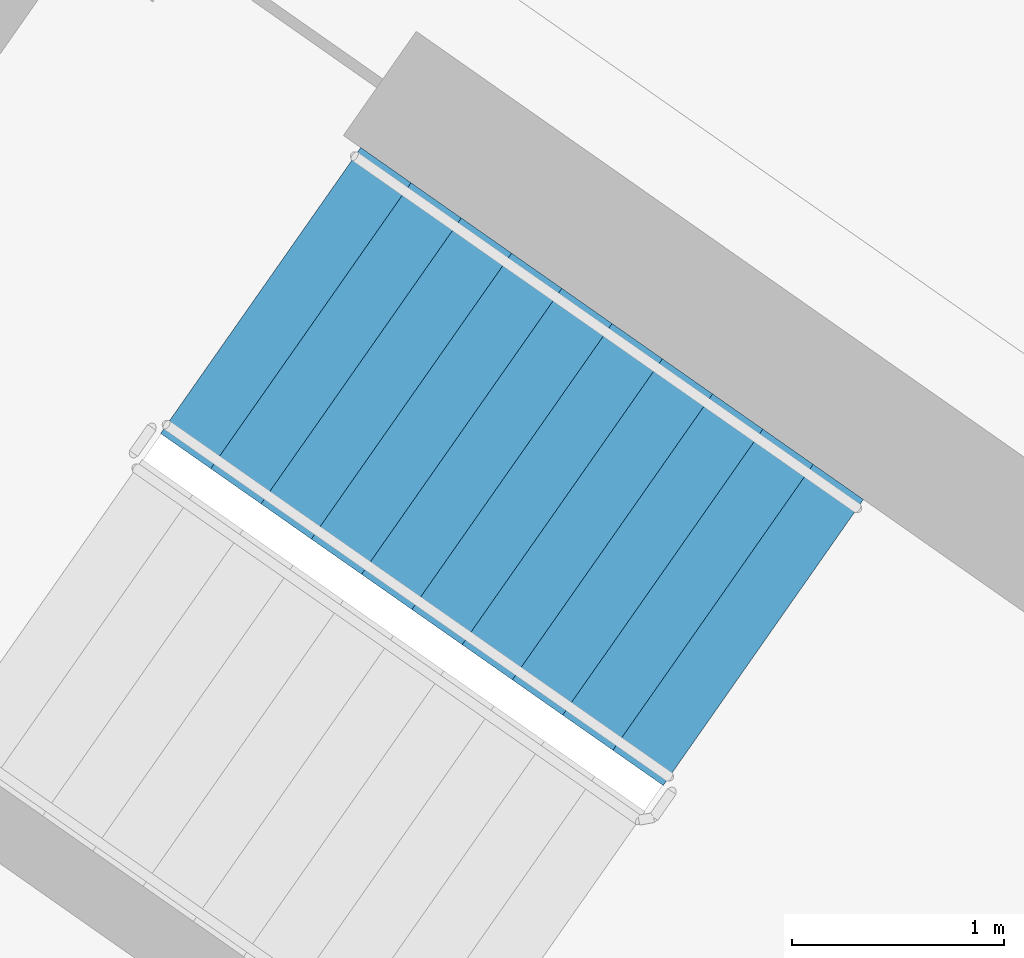
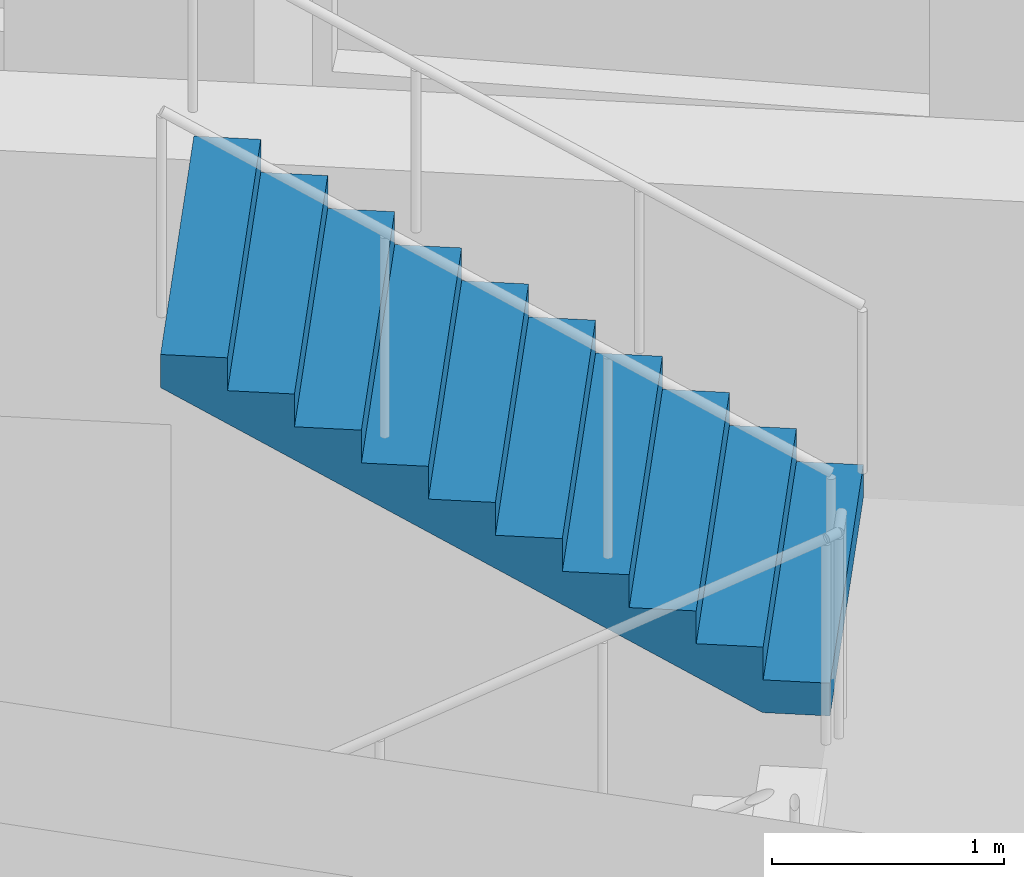
# One storey, part 12 of 26: 1 stair flight, 1 element without a shape of its own.
"""IFC4 building model written with IfcOpenShell, lengths in metres."""

from ifc_helpers import new_model, si_unit, direction, frame, origin, place, context, subcontext, project, spatial, faceted_brep, material, type_object, element, aggregate, save


model = new_model("IFC4")

# Units and contexts
model_context = context("Model", 3, precision=1e-05, world=origin(), true_north=direction((0.0, 1.0)))
body_context = subcontext(model_context, "Body", "Model", "MODEL_VIEW")
ifc_project = project(units=[si_unit("LENGTHUNIT", "METRE"), si_unit("AREAUNIT", "SQUARE_METRE"), si_unit("VOLUMEUNIT", "CUBIC_METRE"), si_unit("PLANEANGLEUNIT", "RADIAN"), si_unit("MASSUNIT", "GRAM", prefix="KILO")], contexts=[model_context])

# Site, building, storey
site_placement = place(None, origin())
site = spatial("IfcSite", under=ifc_project, at=site_placement, CompositionType="ELEMENT")
building_placement = place(site_placement, origin())
building = spatial("IfcBuilding", under=site, at=building_placement, Name="Qamariyya Broadcast Tower", CompositionType="ELEMENT")
storey_placement = place(building_placement, frame((0.0, 0.0, 168.300048828125)))
storey = spatial("IfcBuildingStorey", under=building, at=storey_placement, Name="L39", CompositionType="ELEMENT", Elevation=168.300048828125)

# Stair, stair flight
ifc_material = material(Name="Concrete C50/60", Category="concrete")
stair_type = type_object("IfcStairType", Name="Exit stair 22 risers of 173 mm", PredefinedType="HALF_TURN_STAIR", material=ifc_material)
stair_placement = place(storey_placement, origin())
stair = element("IfcStair", 1, at=stair_placement, inside=storey, type_object=stair_type, Name="L39 Stair W2", PredefinedType="HALF_TURN_STAIR")
stair_flight_type = type_object("IfcStairFlightType", Name="Exit stair flight 11 risers of 173 mm", PredefinedType="STRAIGHT", material=ifc_material)
stair_flight_placement = place(storey_placement, frame((-38.18310546875, -49.3486328125, 1.89990234375), z_axis=(0.0, 0.0, 1.0), x_axis=(-0.819152044289, 0.573576436351, 0.0)))
stair_flight = element("IfcStairFlight", 2, at=stair_flight_placement, type_object=stair_flight_type, Name="ST-W2 flight 2", NumberOfRisers=11, NumberOfTreads=10, PredefinedType="STRAIGHT", RiserHeight=0.172727273, TreadLength=0.29, context=body_context, shape_type="Brep", body=[
    faceted_brep([(0.0, 0.824951171875, 0.0), (0.0, 0.824951171875, 0.172607421875), (0.2900390625, 0.824951171875, 0.172607421875), (0.2900390625, 0.824951171875, 0.345458984375), (0.580078125, 0.824951171875, 0.345458984375), (0.580078125, 0.824951171875, 0.51806640625), (0.8701171875, 0.824951171875, 0.51806640625), (0.8701171875, 0.824951171875, 0.69091796875), (1.159912109375, 0.824951171875, 0.69091796875), (1.159912109375, 0.824951171875, 0.863525390625), (1.449951171875, 0.824951171875, 0.863525390625), (1.449951171875, 0.824951171875, 1.036376953125), (1.739990234375, 0.824951171875, 1.036376953125), (1.739990234375, 0.824951171875, 1.208984375), (2.030029296875, 0.824951171875, 1.208984375), (2.030029296875, 0.824951171875, 1.3818359375), (2.320068359375, 0.824951171875, 1.3818359375), (2.320068359375, 0.824951171875, 1.554443359375), (2.610107421875, 0.824951171875, 1.554443359375), (2.610107421875, 0.824951171875, 1.727294921875), (2.89990234375, 0.824951171875, 1.727294921875), (2.89990234375, 0.824951171875, 1.552734375), (0.29296875, 0.824951171875, 0.0), (0.29296875, -0.824951171875, 0.0), (2.89990234375, -0.824951171875, 1.552734375), (2.89990234375, -0.824951171875, 1.727294921875), (2.610107421875, -0.824951171875, 1.727294921875), (2.610107421875, -0.824951171875, 1.554443359375), (2.320068359375, -0.824951171875, 1.554443359375), (2.320068359375, -0.824951171875, 1.3818359375), (2.030029296875, -0.824951171875, 1.3818359375), (2.030029296875, -0.824951171875, 1.208984375), (1.739990234375, -0.824951171875, 1.208984375), (1.739990234375, -0.824951171875, 1.036376953125), (1.449951171875, -0.824951171875, 1.036376953125), (1.449951171875, -0.824951171875, 0.863525390625), (1.159912109375, -0.824951171875, 0.863525390625), (1.159912109375, -0.824951171875, 0.69091796875), (0.8701171875, -0.824951171875, 0.69091796875), (0.8701171875, -0.824951171875, 0.51806640625), (0.580078125, -0.824951171875, 0.51806640625), (0.580078125, -0.824951171875, 0.345458984375), (0.2900390625, -0.824951171875, 0.345458984375), (0.2900390625, -0.824951171875, 0.172607421875), (0.0, -0.824951171875, 0.172607421875), (0.0, -0.824951171875, 0.0), (0.0, 0.10009765625, 0.0), (0.0, 0.086669921875, 0.0), (0.0, 0.0732421875, 0.0), (0.0, 0.06005859375, 0.0), (0.0, 0.046630859375, 0.0), (0.0, 0.033447265625, 0.0), (0.0, 0.02001953125, 0.0), (0.0, 0.006591796875, 0.0), (0.0, -0.006591796875, 0.0), (0.0, -0.02001953125, 0.0), (0.0, -0.033447265625, 0.0), (0.0, -0.046630859375, 0.0), (0.0, -0.06005859375, 0.0), (0.0, -0.0732421875, 0.0), (0.0, -0.086669921875, 0.0), (0.0, -0.10009765625, 0.0), (0.0, -0.10009765625, 0.172607421875), (0.0, -0.086669921875, 0.172607421875), (0.0, -0.0732421875, 0.172607421875), (0.0, -0.06005859375, 0.172607421875), (0.0, -0.046630859375, 0.172607421875), (0.0, -0.033447265625, 0.172607421875), (0.0, -0.02001953125, 0.172607421875), (0.0, -0.006591796875, 0.172607421875), (0.0, 0.006591796875, 0.172607421875), (0.0, 0.02001953125, 0.172607421875), (0.0, 0.033447265625, 0.172607421875), (0.0, 0.046630859375, 0.172607421875), (0.0, 0.06005859375, 0.172607421875), (0.0, 0.0732421875, 0.172607421875), (0.0, 0.086669921875, 0.172607421875), (0.0, 0.10009765625, 0.172607421875), (0.2900390625, -0.10009765625, 0.172607421875), (0.2900390625, -0.086669921875, 0.172607421875), (0.2900390625, -0.0732421875, 0.172607421875), (0.2900390625, -0.06005859375, 0.172607421875), (0.2900390625, -0.046630859375, 0.172607421875), (0.2900390625, -0.033447265625, 0.172607421875), (0.2900390625, -0.02001953125, 0.172607421875), (0.2900390625, -0.006591796875, 0.172607421875), (0.2900390625, 0.006591796875, 0.172607421875), (0.2900390625, 0.02001953125, 0.172607421875), (0.2900390625, 0.033447265625, 0.172607421875), (0.2900390625, 0.046630859375, 0.172607421875), (0.2900390625, 0.06005859375, 0.172607421875), (0.2900390625, 0.0732421875, 0.172607421875), (0.2900390625, 0.086669921875, 0.172607421875), (0.2900390625, 0.10009765625, 0.172607421875), (0.2900390625, -0.10009765625, 0.345458984375), (0.2900390625, -0.086669921875, 0.345458984375), (0.2900390625, -0.0732421875, 0.345458984375), (0.2900390625, -0.06005859375, 0.345458984375), (0.2900390625, -0.046630859375, 0.345458984375), (0.2900390625, -0.033447265625, 0.345458984375), (0.2900390625, -0.02001953125, 0.345458984375), (0.2900390625, -0.006591796875, 0.345458984375), (0.2900390625, 0.006591796875, 0.345458984375), (0.2900390625, 0.02001953125, 0.345458984375), (0.2900390625, 0.033447265625, 0.345458984375), (0.2900390625, 0.046630859375, 0.345458984375), (0.2900390625, 0.06005859375, 0.345458984375), (0.2900390625, 0.0732421875, 0.345458984375), (0.2900390625, 0.086669921875, 0.345458984375), (0.2900390625, 0.10009765625, 0.345458984375), (0.580078125, -0.10009765625, 0.345458984375), (0.580078125, -0.086669921875, 0.345458984375), (0.580078125, -0.0732421875, 0.345458984375), (0.580078125, -0.06005859375, 0.345458984375), (0.580078125, -0.046630859375, 0.345458984375), (0.580078125, -0.033447265625, 0.345458984375), (0.580078125, -0.02001953125, 0.345458984375), (0.580078125, -0.006591796875, 0.345458984375), (0.580078125, 0.006591796875, 0.345458984375), (0.580078125, 0.02001953125, 0.345458984375), (0.580078125, 0.033447265625, 0.345458984375), (0.580078125, 0.046630859375, 0.345458984375), (0.580078125, 0.06005859375, 0.345458984375), (0.580078125, 0.0732421875, 0.345458984375), (0.580078125, 0.086669921875, 0.345458984375), (0.580078125, 0.10009765625, 0.345458984375), (0.580078125, -0.10009765625, 0.51806640625), (0.580078125, -0.086669921875, 0.51806640625), (0.580078125, -0.0732421875, 0.51806640625), (0.580078125, -0.06005859375, 0.51806640625), (0.580078125, -0.046630859375, 0.51806640625), (0.580078125, -0.033447265625, 0.51806640625), (0.580078125, -0.02001953125, 0.51806640625), (0.580078125, -0.006591796875, 0.51806640625), (0.580078125, 0.006591796875, 0.51806640625), (0.580078125, 0.02001953125, 0.51806640625), (0.580078125, 0.033447265625, 0.51806640625), (0.580078125, 0.046630859375, 0.51806640625), (0.580078125, 0.06005859375, 0.51806640625), (0.580078125, 0.0732421875, 0.51806640625), (0.580078125, 0.086669921875, 0.51806640625), (0.580078125, 0.10009765625, 0.51806640625), (0.8701171875, -0.10009765625, 0.51806640625), (0.8701171875, -0.086669921875, 0.51806640625), (0.8701171875, -0.0732421875, 0.51806640625), (0.8701171875, -0.06005859375, 0.51806640625), (0.8701171875, -0.046630859375, 0.51806640625), (0.8701171875, -0.033447265625, 0.51806640625), (0.8701171875, -0.02001953125, 0.51806640625), (0.8701171875, -0.006591796875, 0.51806640625), (0.8701171875, 0.006591796875, 0.51806640625), (0.8701171875, 0.02001953125, 0.51806640625), (0.8701171875, 0.033447265625, 0.51806640625), (0.8701171875, 0.046630859375, 0.51806640625), (0.8701171875, 0.06005859375, 0.51806640625), (0.8701171875, 0.0732421875, 0.51806640625), (0.8701171875, 0.086669921875, 0.51806640625), (0.8701171875, 0.10009765625, 0.51806640625), (0.8701171875, -0.10009765625, 0.69091796875), (0.8701171875, -0.086669921875, 0.69091796875), (0.8701171875, -0.0732421875, 0.69091796875), (0.8701171875, -0.06005859375, 0.69091796875), (0.8701171875, -0.046630859375, 0.69091796875), (0.8701171875, -0.033447265625, 0.69091796875), (0.8701171875, -0.02001953125, 0.69091796875), (0.8701171875, -0.006591796875, 0.69091796875), (0.8701171875, 0.006591796875, 0.69091796875), (0.8701171875, 0.02001953125, 0.69091796875), (0.8701171875, 0.033447265625, 0.69091796875), (0.8701171875, 0.046630859375, 0.69091796875), (0.8701171875, 0.06005859375, 0.69091796875), (0.8701171875, 0.0732421875, 0.69091796875), (0.8701171875, 0.086669921875, 0.69091796875), (0.8701171875, 0.10009765625, 0.69091796875), (1.159912109375, -0.10009765625, 0.69091796875), (1.159912109375, -0.086669921875, 0.69091796875), (1.159912109375, -0.0732421875, 0.69091796875), (1.159912109375, -0.06005859375, 0.69091796875), (1.159912109375, -0.046630859375, 0.69091796875), (1.159912109375, -0.033447265625, 0.69091796875), (1.159912109375, -0.02001953125, 0.69091796875), (1.159912109375, -0.006591796875, 0.69091796875), (1.159912109375, 0.006591796875, 0.69091796875), (1.159912109375, 0.02001953125, 0.69091796875), (1.159912109375, 0.033447265625, 0.69091796875), (1.159912109375, 0.046630859375, 0.69091796875), (1.159912109375, 0.06005859375, 0.69091796875), (1.159912109375, 0.0732421875, 0.69091796875), (1.159912109375, 0.086669921875, 0.69091796875), (1.159912109375, 0.10009765625, 0.69091796875), (1.159912109375, -0.10009765625, 0.863525390625), (1.159912109375, -0.086669921875, 0.863525390625), (1.159912109375, -0.0732421875, 0.863525390625), (1.159912109375, -0.06005859375, 0.863525390625), (1.159912109375, -0.046630859375, 0.863525390625), (1.159912109375, -0.033447265625, 0.863525390625), (1.159912109375, -0.02001953125, 0.863525390625), (1.159912109375, -0.006591796875, 0.863525390625), (1.159912109375, 0.006591796875, 0.863525390625), (1.159912109375, 0.02001953125, 0.863525390625), (1.159912109375, 0.033447265625, 0.863525390625), (1.159912109375, 0.046630859375, 0.863525390625), (1.159912109375, 0.06005859375, 0.863525390625), (1.159912109375, 0.0732421875, 0.863525390625), (1.159912109375, 0.086669921875, 0.863525390625), (1.159912109375, 0.10009765625, 0.863525390625), (1.449951171875, -0.10009765625, 0.863525390625), (1.449951171875, -0.086669921875, 0.863525390625), (1.449951171875, -0.0732421875, 0.863525390625), (1.449951171875, -0.06005859375, 0.863525390625), (1.449951171875, -0.046630859375, 0.863525390625), (1.449951171875, -0.033447265625, 0.863525390625), (1.449951171875, -0.02001953125, 0.863525390625), (1.449951171875, -0.006591796875, 0.863525390625), (1.449951171875, 0.006591796875, 0.863525390625), (1.449951171875, 0.02001953125, 0.863525390625), (1.449951171875, 0.033447265625, 0.863525390625), (1.449951171875, 0.046630859375, 0.863525390625), (1.449951171875, 0.06005859375, 0.863525390625), (1.449951171875, 0.0732421875, 0.863525390625), (1.449951171875, 0.086669921875, 0.863525390625), (1.449951171875, 0.10009765625, 0.863525390625), (1.449951171875, -0.10009765625, 1.036376953125), (1.449951171875, -0.086669921875, 1.036376953125), (1.449951171875, -0.0732421875, 1.036376953125), (1.449951171875, -0.06005859375, 1.036376953125), (1.449951171875, -0.046630859375, 1.036376953125), (1.449951171875, -0.033447265625, 1.036376953125), (1.449951171875, -0.02001953125, 1.036376953125), (1.449951171875, -0.006591796875, 1.036376953125), (1.449951171875, 0.006591796875, 1.036376953125), (1.449951171875, 0.02001953125, 1.036376953125), (1.449951171875, 0.033447265625, 1.036376953125), (1.449951171875, 0.046630859375, 1.036376953125), (1.449951171875, 0.06005859375, 1.036376953125), (1.449951171875, 0.0732421875, 1.036376953125), (1.449951171875, 0.086669921875, 1.036376953125), (1.449951171875, 0.10009765625, 1.036376953125), (1.739990234375, -0.10009765625, 1.036376953125), (1.739990234375, -0.086669921875, 1.036376953125), (1.739990234375, -0.0732421875, 1.036376953125), (1.739990234375, -0.06005859375, 1.036376953125), (1.739990234375, -0.046630859375, 1.036376953125), (1.739990234375, -0.033447265625, 1.036376953125), (1.739990234375, -0.02001953125, 1.036376953125), (1.739990234375, -0.006591796875, 1.036376953125), (1.739990234375, 0.006591796875, 1.036376953125), (1.739990234375, 0.02001953125, 1.036376953125), (1.739990234375, 0.033447265625, 1.036376953125), (1.739990234375, 0.046630859375, 1.036376953125), (1.739990234375, 0.06005859375, 1.036376953125), (1.739990234375, 0.0732421875, 1.036376953125), (1.739990234375, 0.086669921875, 1.036376953125), (1.739990234375, 0.10009765625, 1.036376953125), (1.739990234375, -0.10009765625, 1.208984375), (1.739990234375, -0.086669921875, 1.208984375), (1.739990234375, -0.0732421875, 1.208984375), (1.739990234375, -0.06005859375, 1.208984375), (1.739990234375, -0.046630859375, 1.208984375), (1.739990234375, -0.033447265625, 1.208984375), (1.739990234375, -0.02001953125, 1.208984375), (1.739990234375, -0.006591796875, 1.208984375), (1.739990234375, 0.006591796875, 1.208984375), (1.739990234375, 0.02001953125, 1.208984375), (1.739990234375, 0.033447265625, 1.208984375), (1.739990234375, 0.046630859375, 1.208984375), (1.739990234375, 0.06005859375, 1.208984375), (1.739990234375, 0.0732421875, 1.208984375), (1.739990234375, 0.086669921875, 1.208984375), (1.739990234375, 0.10009765625, 1.208984375), (2.030029296875, -0.10009765625, 1.208984375), (2.030029296875, -0.086669921875, 1.208984375), (2.030029296875, -0.0732421875, 1.208984375), (2.030029296875, -0.06005859375, 1.208984375), (2.030029296875, -0.046630859375, 1.208984375), (2.030029296875, -0.033447265625, 1.208984375), (2.030029296875, -0.02001953125, 1.208984375), (2.030029296875, -0.006591796875, 1.208984375), (2.030029296875, 0.006591796875, 1.208984375), (2.030029296875, 0.02001953125, 1.208984375), (2.030029296875, 0.033447265625, 1.208984375), (2.030029296875, 0.046630859375, 1.208984375), (2.030029296875, 0.06005859375, 1.208984375), (2.030029296875, 0.0732421875, 1.208984375), (2.030029296875, 0.086669921875, 1.208984375), (2.030029296875, 0.10009765625, 1.208984375), (2.030029296875, -0.10009765625, 1.3818359375), (2.030029296875, -0.086669921875, 1.3818359375), (2.030029296875, -0.0732421875, 1.3818359375), (2.030029296875, -0.06005859375, 1.3818359375), (2.030029296875, -0.046630859375, 1.3818359375), (2.030029296875, -0.033447265625, 1.3818359375), (2.030029296875, -0.02001953125, 1.3818359375), (2.030029296875, -0.006591796875, 1.3818359375), (2.030029296875, 0.006591796875, 1.3818359375), (2.030029296875, 0.02001953125, 1.3818359375), (2.030029296875, 0.033447265625, 1.3818359375), (2.030029296875, 0.046630859375, 1.3818359375), (2.030029296875, 0.06005859375, 1.3818359375), (2.030029296875, 0.0732421875, 1.3818359375), (2.030029296875, 0.086669921875, 1.3818359375), (2.030029296875, 0.10009765625, 1.3818359375), (2.320068359375, -0.10009765625, 1.3818359375), (2.320068359375, -0.086669921875, 1.3818359375), (2.320068359375, -0.0732421875, 1.3818359375), (2.320068359375, -0.06005859375, 1.3818359375), (2.320068359375, -0.046630859375, 1.3818359375), (2.320068359375, -0.033447265625, 1.3818359375), (2.320068359375, -0.02001953125, 1.3818359375), (2.320068359375, -0.006591796875, 1.3818359375), (2.320068359375, 0.006591796875, 1.3818359375), (2.320068359375, 0.02001953125, 1.3818359375), (2.320068359375, 0.033447265625, 1.3818359375), (2.320068359375, 0.046630859375, 1.3818359375), (2.320068359375, 0.06005859375, 1.3818359375), (2.320068359375, 0.0732421875, 1.3818359375), (2.320068359375, 0.086669921875, 1.3818359375), (2.320068359375, 0.10009765625, 1.3818359375), (2.320068359375, -0.10009765625, 1.554443359375), (2.320068359375, -0.086669921875, 1.554443359375), (2.320068359375, -0.0732421875, 1.554443359375), (2.320068359375, -0.06005859375, 1.554443359375), (2.320068359375, -0.046630859375, 1.554443359375), (2.320068359375, -0.033447265625, 1.554443359375), (2.320068359375, -0.02001953125, 1.554443359375), (2.320068359375, -0.006591796875, 1.554443359375), (2.320068359375, 0.006591796875, 1.554443359375), (2.320068359375, 0.02001953125, 1.554443359375), (2.320068359375, 0.033447265625, 1.554443359375), (2.320068359375, 0.046630859375, 1.554443359375), (2.320068359375, 0.06005859375, 1.554443359375), (2.320068359375, 0.0732421875, 1.554443359375), (2.320068359375, 0.086669921875, 1.554443359375), (2.320068359375, 0.10009765625, 1.554443359375), (2.610107421875, -0.10009765625, 1.554443359375), (2.610107421875, -0.086669921875, 1.554443359375), (2.610107421875, -0.0732421875, 1.554443359375), (2.610107421875, -0.06005859375, 1.554443359375), (2.610107421875, -0.046630859375, 1.554443359375), (2.610107421875, -0.033447265625, 1.554443359375), (2.610107421875, -0.02001953125, 1.554443359375), (2.610107421875, -0.006591796875, 1.554443359375), (2.610107421875, 0.006591796875, 1.554443359375), (2.610107421875, 0.02001953125, 1.554443359375), (2.610107421875, 0.033447265625, 1.554443359375), (2.610107421875, 0.046630859375, 1.554443359375), (2.610107421875, 0.06005859375, 1.554443359375), (2.610107421875, 0.0732421875, 1.554443359375), (2.610107421875, 0.086669921875, 1.554443359375), (2.610107421875, 0.10009765625, 1.554443359375), (2.610107421875, -0.10009765625, 1.727294921875), (2.610107421875, -0.086669921875, 1.727294921875), (2.610107421875, -0.0732421875, 1.727294921875), (2.610107421875, -0.06005859375, 1.727294921875), (2.610107421875, -0.046630859375, 1.727294921875), (2.610107421875, -0.033447265625, 1.727294921875), (2.610107421875, -0.02001953125, 1.727294921875), (2.610107421875, -0.006591796875, 1.727294921875), (2.610107421875, 0.006591796875, 1.727294921875), (2.610107421875, 0.02001953125, 1.727294921875), (2.610107421875, 0.033447265625, 1.727294921875), (2.610107421875, 0.046630859375, 1.727294921875), (2.610107421875, 0.06005859375, 1.727294921875), (2.610107421875, 0.0732421875, 1.727294921875), (2.610107421875, 0.086669921875, 1.727294921875), (2.610107421875, 0.10009765625, 1.727294921875), (2.89990234375, -0.10009765625, 1.727294921875), (2.89990234375, -0.086669921875, 1.727294921875), (2.89990234375, -0.0732421875, 1.727294921875), (2.89990234375, -0.06005859375, 1.727294921875), (2.89990234375, -0.046630859375, 1.727294921875), (2.89990234375, -0.033447265625, 1.727294921875), (2.89990234375, -0.02001953125, 1.727294921875), (2.89990234375, -0.006591796875, 1.727294921875), (2.89990234375, 0.006591796875, 1.727294921875), (2.89990234375, 0.02001953125, 1.727294921875), (2.89990234375, 0.033447265625, 1.727294921875), (2.89990234375, 0.046630859375, 1.727294921875), (2.89990234375, 0.06005859375, 1.727294921875), (2.89990234375, 0.0732421875, 1.727294921875), (2.89990234375, 0.086669921875, 1.727294921875), (2.89990234375, 0.10009765625, 1.727294921875), (2.89990234375, -0.10009765625, 1.552734375), (2.89990234375, -0.086669921875, 1.552734375), (2.89990234375, -0.0732421875, 1.552734375), (2.89990234375, -0.06005859375, 1.552734375), (2.89990234375, -0.046630859375, 1.552734375), (2.89990234375, -0.033447265625, 1.552734375), (2.89990234375, -0.02001953125, 1.552734375), (2.89990234375, -0.006591796875, 1.552734375), (2.89990234375, 0.006591796875, 1.552734375), (2.89990234375, 0.02001953125, 1.552734375), (2.89990234375, 0.033447265625, 1.552734375), (2.89990234375, 0.046630859375, 1.552734375), (2.89990234375, 0.06005859375, 1.552734375), (2.89990234375, 0.0732421875, 1.552734375), (2.89990234375, 0.086669921875, 1.552734375), (2.89990234375, 0.10009765625, 1.552734375), (0.29296875, -0.10009765625, 0.0), (0.29296875, -0.086669921875, 0.0), (0.29296875, -0.0732421875, 0.0), (0.29296875, -0.06005859375, 0.0), (0.29296875, -0.046630859375, 0.0), (0.29296875, -0.033447265625, 0.0), (0.29296875, -0.02001953125, 0.0), (0.29296875, -0.006591796875, 0.0), (0.29296875, 0.006591796875, 0.0), (0.29296875, 0.02001953125, 0.0), (0.29296875, 0.033447265625, 0.0), (0.29296875, 0.046630859375, 0.0), (0.29296875, 0.06005859375, 0.0), (0.29296875, 0.0732421875, 0.0), (0.29296875, 0.086669921875, 0.0), (0.29296875, 0.10009765625, 0.0)], [[[0, 1, 2, 3, 4, 5, 6, 7, 8, 9, 10, 11, 12, 13, 14, 15, 16, 17, 18, 19, 20, 21, 22]], [[23, 24, 25, 26, 27, 28, 29, 30, 31, 32, 33, 34, 35, 36, 37, 38, 39, 40, 41, 42, 43, 44, 45]], [[0, 46, 47, 48, 49, 50, 51, 52, 53, 54, 55, 56, 57, 58, 59, 60, 61, 45, 44, 62, 63, 64, 65, 66, 67, 68, 69, 70, 71, 72, 73, 74, 75, 76, 77, 1]], [[1, 77, 76, 75, 74, 73, 72, 71, 70, 69, 68, 67, 66, 65, 64, 63, 62, 44, 43, 78, 79, 80, 81, 82, 83, 84, 85, 86, 87, 88, 89, 90, 91, 92, 93, 2]], [[2, 93, 92, 91, 90, 89, 88, 87, 86, 85, 84, 83, 82, 81, 80, 79, 78, 43, 42, 94, 95, 96, 97, 98, 99, 100, 101, 102, 103, 104, 105, 106, 107, 108, 109, 3]], [[3, 109, 108, 107, 106, 105, 104, 103, 102, 101, 100, 99, 98, 97, 96, 95, 94, 42, 41, 110, 111, 112, 113, 114, 115, 116, 117, 118, 119, 120, 121, 122, 123, 124, 125, 4]], [[4, 125, 124, 123, 122, 121, 120, 119, 118, 117, 116, 115, 114, 113, 112, 111, 110, 41, 40, 126, 127, 128, 129, 130, 131, 132, 133, 134, 135, 136, 137, 138, 139, 140, 141, 5]], [[5, 141, 140, 139, 138, 137, 136, 135, 134, 133, 132, 131, 130, 129, 128, 127, 126, 40, 39, 142, 143, 144, 145, 146, 147, 148, 149, 150, 151, 152, 153, 154, 155, 156, 157, 6]], [[6, 157, 156, 155, 154, 153, 152, 151, 150, 149, 148, 147, 146, 145, 144, 143, 142, 39, 38, 158, 159, 160, 161, 162, 163, 164, 165, 166, 167, 168, 169, 170, 171, 172, 173, 7]], [[7, 173, 172, 171, 170, 169, 168, 167, 166, 165, 164, 163, 162, 161, 160, 159, 158, 38, 37, 174, 175, 176, 177, 178, 179, 180, 181, 182, 183, 184, 185, 186, 187, 188, 189, 8]], [[8, 189, 188, 187, 186, 185, 184, 183, 182, 181, 180, 179, 178, 177, 176, 175, 174, 37, 36, 190, 191, 192, 193, 194, 195, 196, 197, 198, 199, 200, 201, 202, 203, 204, 205, 9]], [[9, 205, 204, 203, 202, 201, 200, 199, 198, 197, 196, 195, 194, 193, 192, 191, 190, 36, 35, 206, 207, 208, 209, 210, 211, 212, 213, 214, 215, 216, 217, 218, 219, 220, 221, 10]], [[10, 221, 220, 219, 218, 217, 216, 215, 214, 213, 212, 211, 210, 209, 208, 207, 206, 35, 34, 222, 223, 224, 225, 226, 227, 228, 229, 230, 231, 232, 233, 234, 235, 236, 237, 11]], [[11, 237, 236, 235, 234, 233, 232, 231, 230, 229, 228, 227, 226, 225, 224, 223, 222, 34, 33, 238, 239, 240, 241, 242, 243, 244, 245, 246, 247, 248, 249, 250, 251, 252, 253, 12]], [[12, 253, 252, 251, 250, 249, 248, 247, 246, 245, 244, 243, 242, 241, 240, 239, 238, 33, 32, 254, 255, 256, 257, 258, 259, 260, 261, 262, 263, 264, 265, 266, 267, 268, 269, 13]], [[13, 269, 268, 267, 266, 265, 264, 263, 262, 261, 260, 259, 258, 257, 256, 255, 254, 32, 31, 270, 271, 272, 273, 274, 275, 276, 277, 278, 279, 280, 281, 282, 283, 284, 285, 14]], [[14, 285, 284, 283, 282, 281, 280, 279, 278, 277, 276, 275, 274, 273, 272, 271, 270, 31, 30, 286, 287, 288, 289, 290, 291, 292, 293, 294, 295, 296, 297, 298, 299, 300, 301, 15]], [[15, 301, 300, 299, 298, 297, 296, 295, 294, 293, 292, 291, 290, 289, 288, 287, 286, 30, 29, 302, 303, 304, 305, 306, 307, 308, 309, 310, 311, 312, 313, 314, 315, 316, 317, 16]], [[16, 317, 316, 315, 314, 313, 312, 311, 310, 309, 308, 307, 306, 305, 304, 303, 302, 29, 28, 318, 319, 320, 321, 322, 323, 324, 325, 326, 327, 328, 329, 330, 331, 332, 333, 17]], [[17, 333, 332, 331, 330, 329, 328, 327, 326, 325, 324, 323, 322, 321, 320, 319, 318, 28, 27, 334, 335, 336, 337, 338, 339, 340, 341, 342, 343, 344, 345, 346, 347, 348, 349, 18]], [[18, 349, 348, 347, 346, 345, 344, 343, 342, 341, 340, 339, 338, 337, 336, 335, 334, 27, 26, 350, 351, 352, 353, 354, 355, 356, 357, 358, 359, 360, 361, 362, 363, 364, 365, 19]], [[19, 365, 364, 363, 362, 361, 360, 359, 358, 357, 356, 355, 354, 353, 352, 351, 350, 26, 25, 366, 367, 368, 369, 370, 371, 372, 373, 374, 375, 376, 377, 378, 379, 380, 381, 20]], [[20, 381, 380, 379, 378, 377, 376, 375, 374, 373, 372, 371, 370, 369, 368, 367, 366, 25, 24, 382, 383, 384, 385, 386, 387, 388, 389, 390, 391, 392, 393, 394, 395, 396, 397, 21]], [[21, 397, 396, 395, 394, 393, 392, 391, 390, 389, 388, 387, 386, 385, 384, 383, 382, 24, 23, 398, 399, 400, 401, 402, 403, 404, 405, 406, 407, 408, 409, 410, 411, 412, 413, 22]], [[22, 413, 412, 411, 410, 409, 408, 407, 406, 405, 404, 403, 402, 401, 400, 399, 398, 23, 45, 61, 60, 59, 58, 57, 56, 55, 54, 53, 52, 51, 50, 49, 48, 47, 46, 0]]]),
])
aggregate(stair, [stair_flight])

save(model, "model.ifc")
